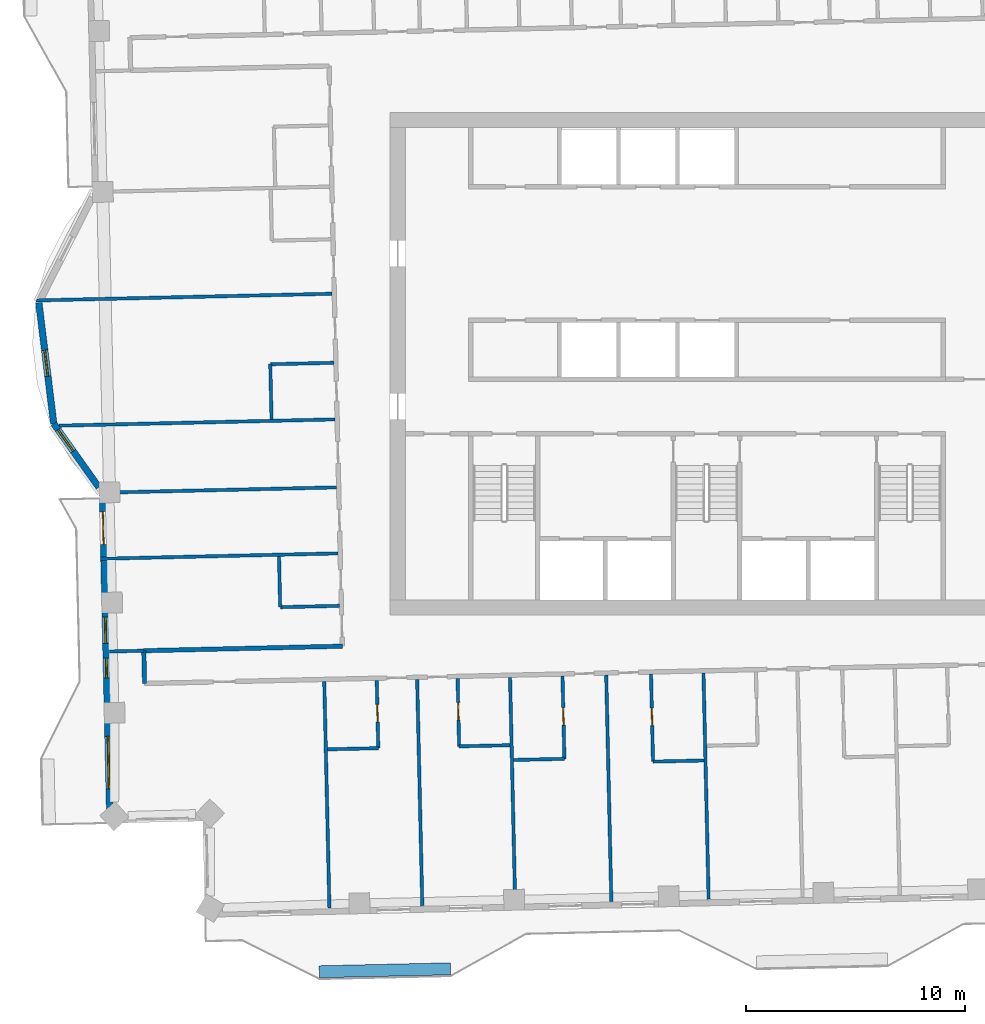
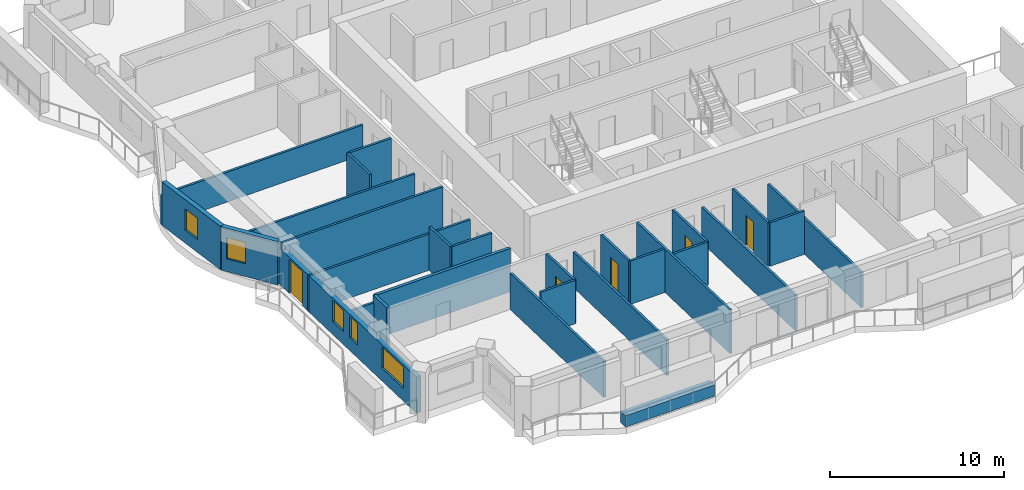
# One storey, part 7 of 18: 28 walls, 5 doors, 5 windows, 10 openings.
"""IFC4 building model written with IfcOpenShell, lengths in metres."""

from ifc_helpers import new_model, si_unit, direction, frame, frame_2d, origin, place, context, subcontext, project, spatial, rectangle, extrude, material, layer, layer_set, type_object, element, fill, save


model = new_model("IFC4")

# Units and contexts
model_context = context("Model", 3, precision=1e-05, world=origin(), true_north=direction((0.0, 1.0)))
body_context = subcontext(model_context, "Body", "Model", "MODEL_VIEW")
ifc_project = project(units=[si_unit("LENGTHUNIT", "METRE"), si_unit("AREAUNIT", "SQUARE_METRE"), si_unit("VOLUMEUNIT", "CUBIC_METRE"), si_unit("PLANEANGLEUNIT", "RADIAN"), si_unit("MASSUNIT", "GRAM", prefix="KILO")], contexts=[model_context])

# Site, building, storey
site_placement = place(None, origin())
site = spatial("IfcSite", under=ifc_project, at=site_placement, CompositionType="ELEMENT")
building_placement = place(site_placement, origin())
building = spatial("IfcBuilding", under=site, at=building_placement, Name="Mangrove Gate Tower", CompositionType="ELEMENT")
storey_placement = place(building_placement, frame((0.0, 0.0, 287.10009765625)))
storey = spatial("IfcBuildingStorey", under=building, at=storey_placement, Name="L73", CompositionType="ELEMENT", Elevation=287.10009765625)

# Walls
ifc_material_1 = material(Name="Gypsum board on steel stud, EI 60", Category="steel")
ifc_layer_1 = layer(ifc_material_1, 0.199951171875)
ifc_layer_set_1 = layer_set([ifc_layer_1], Name="Corridor wall EI 60")
wall_type_1 = type_object("IfcWallType", Name="Corridor wall EI 60", PredefinedType="PARTITIONING", material=ifc_layer_set_1)
wall_1_placement = place(storey_placement, frame((-25.72802734375, -14.6240234375, 0.0), z_axis=(0.0, 0.0, 1.0), x_axis=(-0.022632637625, 0.99974384905, 0.0)))
element("IfcWall", 1, at=wall_1_placement, inside=storey, type_object=wall_type_1, Name="WALL-L73-029", PredefinedType="PARTITIONING", context=body_context, shape_type="SweptSolid", body=[
    extrude(rectangle(XDim=1.49951171875, YDim=0.199951171875, at=frame_2d((0.749755859375, 0.0))), origin(), (0.0, 0.0, 1.0), 3.0498046875),
])
wall_2_placement = place(storey_placement, frame((-25.764892578125, -13.125, 0.0), z_axis=(0.0, 0.0, 1.0), x_axis=(0.999740502457, 0.022779985654, 0.0)))
element("IfcWall", 2, at=wall_2_placement, inside=storey, type_object=wall_type_1, Name="WALL-L73-032", PredefinedType="PARTITIONING", context=body_context, shape_type="SweptSolid", body=[
    extrude(rectangle(XDim=9.08837890625, YDim=0.199951171875, at=frame_2d((4.544189453125, 0.0))), origin(), (0.0, 0.0, 1.0), 3.0498046875),
])

# Wall, opening, window
ifc_material_2 = material(Name="Limestone", Category="masonry")
ifc_layer_2 = layer(ifc_material_2, 0.0400390625, Name="Limestone cladding")
ifc_material_3 = material(Name="Ventilated air gap")
ifc_layer_3 = layer(ifc_material_3, 0.0400390625, Name="Ventilated cavity")
ifc_material_4 = material(Name="Mineral wool insulation")
ifc_layer_4 = layer(ifc_material_4, 0.06005859375, Name="Insulation")
ifc_material_5 = material(Name="Breather membrane")
ifc_layer_5 = layer(ifc_material_5, 0.001953125, Name="Breather membrane")
ifc_material_6 = material(Name="Concrete C20/25 blockwork", Category="masonry")
ifc_layer_6 = layer(ifc_material_6, 0.14990234375, Name="Blockwork backing wall")
ifc_material_7 = material(Name="Gypsum plaster")
ifc_layer_7 = layer(ifc_material_7, 0.008056640625, Name="Internal plaster")
ifc_layer_set_2 = layer_set([ifc_layer_2, ifc_layer_3, ifc_layer_4, ifc_layer_5, ifc_layer_6, ifc_layer_7], Name="External wall 300 limestone cladding")
wall_type_2 = type_object("IfcWallType", Name="External wall 300 limestone cladding", PredefinedType="SOLIDWALL", material=ifc_layer_set_2)
wall_3_placement = place(storey_placement, frame((-30.56396484375, 2.7939453125, 0.0), z_axis=(0.0, 0.0, 1.0), x_axis=(0.122163831021, -0.992509948761, 0.0)))
wall_3 = element("IfcWall", 3, at=wall_3_placement, inside=storey, type_object=wall_type_2, Name="WALL-L73-W9f2", PredefinedType="SOLIDWALL", context=body_context, shape_type="SweptSolid", body=[
    extrude(rectangle(XDim=5.57373046875, YDim=0.300048828125, at=frame_2d((2.786865234375, 0.0))), origin(), (0.0, 0.0, 1.0), 3.0498046875),
])
opening_1_placement = place(wall_3_placement, frame((2.18701171875, 0.0, 0.89990234375)))
opening_1 = element("IfcOpeningElement", 4, at=opening_1_placement, cuts=wall_3, Name="Opening W1", PredefinedType="OPENING", context=body_context, shape_type="SweptSolid", body=[
    extrude(rectangle(XDim=1.199951171875, YDim=1.5, at=frame_2d((0.60009765625, 0.75))), frame((0.0, 0.159912109375, 0.0), z_axis=(0.0, -1.0, 0.0), x_axis=(1.0, 0.0, 0.0)), (0.0, 0.0, 1.0), 0.320068359375),
])
ifc_material_8 = material(Name="Aluminium frame with double-glazed low-e glass", Category="aluminium")
window_type_1 = type_object("IfcWindowType", Name="Side lite 1200x1500", PartitioningType="SINGLE_PANEL", PredefinedType="WINDOW", material=ifc_material_8)
window_1_placement = place(opening_1_placement, origin())
window_1 = element("IfcWindow", 5, at=window_1_placement, inside=storey, type_object=window_type_1, Name="WIN-L73-W9f2", OverallHeight=1.5, OverallWidth=1.199951171875, PartitioningType="SINGLE_PANEL", PredefinedType="WINDOW", context=body_context, shape_type="SweptSolid", body=[
    extrude(rectangle(XDim=1.199951171875, YDim=1.5, at=frame_2d((0.60009765625, 0.75))), frame((0.0, 0.030029296875, 0.0), z_axis=(0.0, -1.0, 0.0), x_axis=(1.0, 0.0, 0.0)), (0.0, 0.0, 1.0), 0.06005859375),
])
fill(opening_1, window_1)

wall_4_placement = place(storey_placement, frame((-29.883056640625, -2.738037109375, 0.0), z_axis=(0.0, 0.0, 1.0), x_axis=(0.578095163598, -0.815969351033, 0.0)))
wall_4 = element("IfcWall", 6, at=wall_4_placement, inside=storey, type_object=wall_type_2, Name="WALL-L73-W9f3", PredefinedType="SOLIDWALL", context=body_context, shape_type="SweptSolid", body=[
    extrude(rectangle(XDim=3.568603515625, YDim=0.300048828125, at=frame_2d((1.7841796875, 0.0))), origin(), (0.0, 0.0, 1.0), 3.0498046875),
])
opening_2_placement = place(wall_4_placement, frame((0.337890625, 0.0, 0.89990234375)))
opening_2 = element("IfcOpeningElement", 7, at=opening_2_placement, cuts=wall_4, Name="Opening W1", PredefinedType="OPENING", context=body_context, shape_type="SweptSolid", body=[
    extrude(rectangle(XDim=1.199951171875, YDim=1.5, at=frame_2d((0.60009765625, 0.75))), frame((0.0, 0.159912109375, 0.0), z_axis=(0.0, -1.0, 0.0), x_axis=(1.0, 0.0, 0.0)), (0.0, 0.0, 1.0), 0.320068359375),
])
window_2_placement = place(opening_2_placement, origin())
window_2 = element("IfcWindow", 8, at=window_2_placement, inside=storey, type_object=window_type_1, Name="WIN-L73-W9f3", OverallHeight=1.5, OverallWidth=1.199951171875, PartitioningType="SINGLE_PANEL", PredefinedType="WINDOW", context=body_context, shape_type="SweptSolid", body=[
    extrude(rectangle(XDim=1.199951171875, YDim=1.5, at=frame_2d((0.60009765625, 0.75))), frame((0.0, 0.030029296875, 0.0), z_axis=(0.0, -1.0, 0.0), x_axis=(1.0, 0.0, 0.0)), (0.0, 0.0, 1.0), 0.06005859375),
])
fill(opening_2, window_2)

# Wall, openings, door, windows
wall_5_placement = place(storey_placement, frame((-27.6650390625, -5.416015625, 0.0), z_axis=(0.0, 0.0, 1.0), x_axis=(0.022660024814, -0.999743228672, 0.0)))
wall_5 = element("IfcWall", 9, at=wall_5_placement, inside=storey, type_object=wall_type_2, Name="WALL-L73-W10s1", PredefinedType="SOLIDWALL", context=body_context, shape_type="SweptSolid", body=[
    extrude(rectangle(XDim=15.449951171875, YDim=0.300048828125, at=frame_2d((7.72509765625, 0.0))), origin(), (0.0, 0.0, 1.0), 2.5498046875),
])
opening_3_placement = place(wall_5_placement, frame((1.35009765625, 0.0, 0.0)))
opening_3 = element("IfcOpeningElement", 10, at=opening_3_placement, cuts=wall_5, Name="Opening BD1", PredefinedType="OPENING", context=body_context, shape_type="SweptSolid", body=[
    extrude(rectangle(XDim=1.5, YDim=2.39990234375, at=frame_2d((0.75, 1.199951171875))), frame((0.0, 0.159912109375, 0.0), z_axis=(0.0, -1.0, 0.0), x_axis=(1.0, 0.0, 0.0)), (0.0, 0.0, 1.0), 0.320068359375),
])
opening_4_placement = place(wall_5_placement, frame((6.1708984375, 0.0, 0.89990234375)))
opening_4 = element("IfcOpeningElement", 11, at=opening_4_placement, cuts=wall_5, Name="Opening W1", PredefinedType="OPENING", context=body_context, shape_type="SweptSolid", body=[
    extrude(rectangle(XDim=1.199951171875, YDim=1.5, at=frame_2d((0.60009765625, 0.75))), frame((0.0, 0.159912109375, 0.0), z_axis=(0.0, -1.0, 0.0), x_axis=(1.0, 0.0, 0.0)), (0.0, 0.0, 1.0), 0.320068359375),
])
opening_5_placement = place(wall_5_placement, frame((8.050048828125, 0.0, 0.89990234375)))
opening_5 = element("IfcOpeningElement", 12, at=opening_5_placement, cuts=wall_5, Name="Opening W5", PredefinedType="OPENING", context=body_context, shape_type="SweptSolid", body=[
    extrude(rectangle(XDim=0.89990234375, YDim=1.5, at=frame_2d((0.449951171875, 0.75))), frame((0.0, 0.159912109375, 0.0), z_axis=(0.0, -1.0, 0.0), x_axis=(1.0, 0.0, 0.0)), (0.0, 0.0, 1.0), 0.320068359375),
])
opening_6_placement = place(wall_5_placement, frame((11.625, 0.0, 0.89990234375)))
opening_6 = element("IfcOpeningElement", 13, at=opening_6_placement, cuts=wall_5, Name="Opening W2", PredefinedType="OPENING", context=body_context, shape_type="SweptSolid", body=[
    extrude(rectangle(XDim=2.39990234375, YDim=1.5, at=frame_2d((1.199951171875, 0.75))), frame((0.0, 0.159912109375, 0.0), z_axis=(0.0, -1.0, 0.0), x_axis=(1.0, 0.0, 0.0)), (0.0, 0.0, 1.0), 0.320068359375),
])
ifc_material_9 = material(Name="Aluminium frame with laminated clear glass", Category="aluminium")
door_type_1 = type_object("IfcDoorType", Name="Balcony sliding door 1500x2400", OperationType="SLIDING_TO_LEFT", PredefinedType="DOOR", material=ifc_material_9)
door_1_placement = place(opening_3_placement, origin())
door_1 = element("IfcDoor", 14, at=door_1_placement, inside=storey, type_object=door_type_1, Name="DOOR-L73-W10-1", OperationType="SLIDING_TO_LEFT", OverallHeight=2.39990234375, OverallWidth=1.5, PredefinedType="DOOR", context=body_context, shape_type="SweptSolid", body=[
    extrude(rectangle(XDim=1.5, YDim=2.39990234375, at=frame_2d((0.75, 1.199951171875))), frame((0.0, 0.02490234375, 0.0), z_axis=(0.0, -1.0, 0.0), x_axis=(1.0, 0.0, 0.0)), (0.0, 0.0, 1.0), 0.050048828125),
])
fill(opening_3, door_1)
ifc_material_10 = material(Name="Aluminium frame with double-glazed low-e glass", Category="aluminium")
window_type_2 = type_object("IfcWindowType", Name="Corner room window 2400x1500", PartitioningType="DOUBLE_PANEL_VERTICAL", PredefinedType="WINDOW", material=ifc_material_10)
window_3_placement = place(opening_6_placement, origin())
window_3 = element("IfcWindow", 15, at=window_3_placement, inside=storey, type_object=window_type_2, Name="WIN-L73-W10-4", OverallHeight=1.5, OverallWidth=2.39990234375, PartitioningType="DOUBLE_PANEL_VERTICAL", PredefinedType="WINDOW", context=body_context, shape_type="SweptSolid", body=[
    extrude(rectangle(XDim=2.39990234375, YDim=1.5, at=frame_2d((1.199951171875, 0.75))), frame((0.0, 0.030029296875, 0.0), z_axis=(0.0, -1.0, 0.0), x_axis=(1.0, 0.0, 0.0)), (0.0, 0.0, 1.0), 0.06005859375),
])
fill(opening_6, window_3)
ifc_material_11 = material(Name="Aluminium frame with double-glazed low-e glass", Category="aluminium")
window_type_3 = type_object("IfcWindowType", Name="Narrow window 900x1500", PartitioningType="SINGLE_PANEL", PredefinedType="WINDOW", material=ifc_material_11)
window_4_placement = place(opening_5_placement, origin())
window_4 = element("IfcWindow", 16, at=window_4_placement, inside=storey, type_object=window_type_3, Name="WIN-L73-W10-3", OverallHeight=1.5, OverallWidth=0.89990234375, PartitioningType="SINGLE_PANEL", PredefinedType="WINDOW", context=body_context, shape_type="SweptSolid", body=[
    extrude(rectangle(XDim=0.89990234375, YDim=1.5, at=frame_2d((0.449951171875, 0.75))), frame((0.0, 0.030029296875, 0.0), z_axis=(0.0, -1.0, 0.0), x_axis=(1.0, 0.0, 0.0)), (0.0, 0.0, 1.0), 0.06005859375),
])
fill(opening_5, window_4)
window_5_placement = place(opening_4_placement, origin())
window_5 = element("IfcWindow", 17, at=window_5_placement, inside=storey, type_object=window_type_1, Name="WIN-L73-W10-2", OverallHeight=1.5, OverallWidth=1.199951171875, PartitioningType="SINGLE_PANEL", PredefinedType="WINDOW", context=body_context, shape_type="SweptSolid", body=[
    extrude(rectangle(XDim=1.199951171875, YDim=1.5, at=frame_2d((0.60009765625, 0.75))), frame((0.0, 0.030029296875, 0.0), z_axis=(0.0, -1.0, 0.0), x_axis=(1.0, 0.0, 0.0)), (0.0, 0.0, 1.0), 0.06005859375),
])
fill(opening_4, window_5)

# Walls
ifc_material_12 = material(Name="Gypsum board on steel stud, EI 60", Category="steel")
ifc_layer_8 = layer(ifc_material_12, 0.14990234375)
ifc_layer_set_3 = layer_set([ifc_layer_8], Name="Party wall 150 EI 60")
wall_type_3 = type_object("IfcWallType", Name="Party wall 150 EI 60", PredefinedType="PARTITIONING", material=ifc_layer_set_3)
wall_6_placement = place(storey_placement, frame((-17.27294921875, -24.885009765625, 0.0), z_axis=(0.0, 0.0, 1.0), x_axis=(-0.022716582742, 0.999741945138, 0.0)))
element("IfcWall", 18, at=wall_6_placement, inside=storey, type_object=wall_type_3, Name="WALL-L73-001", PredefinedType="PARTITIONING", context=body_context, shape_type="SweptSolid", body=[
    extrude(rectangle(XDim=10.349609375, YDim=0.14990234375, at=frame_2d((5.1748046875, 0.0))), origin(), (0.0, 0.0, 1.0), 2.5498046875),
])
wall_7_placement = place(storey_placement, frame((-13.02392578125, -24.7890625, 0.0), z_axis=(0.0, 0.0, 1.0), x_axis=(-0.022713904397, 0.999742005993, 0.0)))
element("IfcWall", 19, at=wall_7_placement, inside=storey, type_object=wall_type_3, Name="WALL-L73-002", PredefinedType="PARTITIONING", context=body_context, shape_type="SweptSolid", body=[
    extrude(rectangle(XDim=10.350830078125, YDim=0.14990234375, at=frame_2d((5.17529296875, 0.0))), origin(), (0.0, 0.0, 1.0), 2.5),
])
wall_8_placement = place(storey_placement, frame((-8.77490234375, -24.69189453125, 0.0), z_axis=(0.0, 0.0, 1.0), x_axis=(-0.022716582742, 0.999741945138, 0.0)))
element("IfcWall", 20, at=wall_8_placement, inside=storey, type_object=wall_type_3, Name="WALL-L73-003", PredefinedType="PARTITIONING", context=body_context, shape_type="SweptSolid", body=[
    extrude(rectangle(XDim=10.349609375, YDim=0.14990234375, at=frame_2d((5.1748046875, 0.0))), origin(), (0.0, 0.0, 1.0), 3.0498046875),
])
for number, where, z_axis, x_axis, name in (
    (21, (-4.3759765625, -24.593017578125, 0.0), (0.0, 0.0, 1.0), (-0.022714440015, 0.999741993824, 0.0), "WALL-L73-004"),
    (22, (0.072998046875, -24.491943359375, 0.0), (0.0, 0.0, 1.0), (-0.022714440015, 0.999741993824, 0.0), "WALL-L73-005"),
):
    element("IfcWall", number, at=place(storey_placement, frame(where, z_axis=z_axis, x_axis=x_axis)), inside=storey, type_object=wall_type_3, Name=name, PredefinedType="PARTITIONING", context=body_context, shape_type="SweptSolid", body=[
        extrude(rectangle(XDim=10.3505859375, YDim=0.14990234375, at=frame_2d((5.17529296875, 0.0))), origin(), (0.0, 0.0, 1.0), 2.5),
    ])

# Wall, opening, door
wall_9_placement = place(storey_placement, frame((-2.470947265625, -18.197021484375, 0.0), z_axis=(0.0, 0.0, 1.0), x_axis=(-0.022765770952, 0.999740826251, 0.0)))
wall_9 = element("IfcWall", 23, at=wall_9_placement, inside=storey, type_object=wall_type_3, Name="WALL-L73-011", PredefinedType="PARTITIONING", context=body_context, shape_type="SweptSolid", body=[
    extrude(rectangle(XDim=4.0, YDim=0.14990234375, at=frame_2d((2.0, 0.0))), origin(), (0.0, 0.0, 1.0), 3.0498046875),
])
opening_7_placement = place(wall_9_placement, frame((1.64990234375, 0.0, 0.0)))
opening_7 = element("IfcOpeningElement", 24, at=opening_7_placement, cuts=wall_9, Name="Opening ED", PredefinedType="OPENING", context=body_context, shape_type="SweptSolid", body=[
    extrude(rectangle(XDim=0.800048828125, YDim=2.10009765625, at=frame_2d((0.39990234375, 1.050048828125))), frame((0.0, 0.0849609375, 0.0), z_axis=(0.0, -1.0, 0.0), x_axis=(1.0, 0.0, 0.0)), (0.0, 0.0, 1.0), 0.169921875),
])
ifc_material_13 = material(Name="Timber door leaf", Category="wood")
door_type_2 = type_object("IfcDoorType", Name="En-suite door 800", OperationType="SINGLE_SWING_LEFT", PredefinedType="DOOR", material=ifc_material_13)
door_2_placement = place(opening_7_placement, origin())
door_2 = element("IfcDoor", 25, at=door_2_placement, inside=storey, type_object=door_type_2, Name="DOOR-L73-ENS-c104", OperationType="SINGLE_SWING_RIGHT", OverallHeight=2.10009765625, OverallWidth=0.800048828125, PredefinedType="DOOR", context=body_context, shape_type="SweptSolid", body=[
    extrude(rectangle(XDim=0.800048828125, YDim=2.10009765625, at=frame_2d((0.39990234375, 1.050048828125))), frame((0.0, 0.02490234375, 0.0), z_axis=(0.0, -1.0, 0.0), x_axis=(1.0, 0.0, 0.0)), (0.0, 0.0, 1.0), 0.050048828125),
])
fill(opening_7, door_2)

# Walls
wall_10_placement = place(storey_placement, frame((-2.468994140625, -18.197021484375, 0.0), z_axis=(0.0, 0.0, 1.0), x_axis=(0.999749954681, 0.022361308448, 0.0)))
element("IfcWall", 26, at=wall_10_placement, inside=storey, type_object=wall_type_3, Name="WALL-L73-012", PredefinedType="PARTITIONING", context=body_context, shape_type="SweptSolid", body=[
    extrude(rectangle(XDim=2.325439453125, YDim=0.14990234375, at=frame_2d((1.16259765625, 0.0))), origin(), (0.0, 0.0, 1.0), 3.0498046875),
])
wall_11_placement = place(storey_placement, frame((-8.846923828125, -18.1220703125, 0.0), z_axis=(0.0, 0.0, 1.0), x_axis=(0.999740260747, 0.02279059109, 0.0)))
element("IfcWall", 27, at=wall_11_placement, inside=storey, type_object=wall_type_3, Name="WALL-L73-015", PredefinedType="PARTITIONING", context=body_context, shape_type="SweptSolid", body=[
    extrude(rectangle(XDim=2.324462890625, YDim=0.14990234375, at=frame_2d((1.162109375, 0.0))), origin(), (0.0, 0.0, 1.0), 3.0498046875),
])

# Wall, opening, door
wall_12_placement = place(storey_placement, frame((-6.52490234375, -18.069091796875, 0.0), z_axis=(0.0, 0.0, 1.0), x_axis=(-0.022540947495, 0.999745920565, 0.0)))
wall_12 = element("IfcWall", 28, at=wall_12_placement, inside=storey, type_object=wall_type_3, Name="WALL-L73-016", PredefinedType="PARTITIONING", context=body_context, shape_type="SweptSolid", body=[
    extrude(rectangle(XDim=3.780029296875, YDim=0.14990234375, at=frame_2d((1.89013671875, 0.0))), origin(), (0.0, 0.0, 1.0), 3.0498046875),
])
opening_8_placement = place(wall_12_placement, frame((1.5400390625, 0.0, 0.0)))
opening_8 = element("IfcOpeningElement", 29, at=opening_8_placement, cuts=wall_12, Name="Opening ED", PredefinedType="OPENING", context=body_context, shape_type="SweptSolid", body=[
    extrude(rectangle(XDim=0.800048828125, YDim=2.10009765625, at=frame_2d((0.39990234375, 1.050048828125))), frame((0.0, 0.0849609375, 0.0), z_axis=(0.0, -1.0, 0.0), x_axis=(1.0, 0.0, 0.0)), (0.0, 0.0, 1.0), 0.169921875),
])
door_3_placement = place(opening_8_placement, origin())
door_3 = element("IfcDoor", 30, at=door_3_placement, inside=storey, type_object=door_type_2, Name="DOOR-L73-ENS-c103", OperationType="SINGLE_SWING_LEFT", OverallHeight=2.10009765625, OverallWidth=0.800048828125, PredefinedType="DOOR", context=body_context, shape_type="SweptSolid", body=[
    extrude(rectangle(XDim=0.800048828125, YDim=2.10009765625, at=frame_2d((0.39990234375, 1.050048828125))), frame((0.0, 0.02490234375, 0.0), z_axis=(0.0, -1.0, 0.0), x_axis=(1.0, 0.0, 0.0)), (0.0, 0.0, 1.0), 0.050048828125),
])
fill(opening_8, door_3)

# Wall
wall_13_placement = place(storey_placement, frame((-17.360107421875, -17.635009765625, 0.0), z_axis=(0.0, 0.0, 1.0), x_axis=(0.99974031529, 0.022788198363, 0.0)))
element("IfcWall", 31, at=wall_13_placement, inside=storey, type_object=wall_type_3, Name="WALL-L73-024", PredefinedType="PARTITIONING", context=body_context, shape_type="SweptSolid", body=[
    extrude(rectangle(XDim=2.32470703125, YDim=0.14990234375, at=frame_2d((1.162353515625, 0.0))), origin(), (0.0, 0.0, 1.0), 3.0498046875),
])

# Wall, opening, door
wall_14_placement = place(storey_placement, frame((-15.0380859375, -17.58203125, 0.0), z_axis=(0.0, 0.0, 1.0), x_axis=(-0.022524613091, 0.999746288718, 0.0)))
wall_14 = element("IfcWall", 32, at=wall_14_placement, inside=storey, type_object=wall_type_3, Name="WALL-L73-025", PredefinedType="PARTITIONING", context=body_context, shape_type="SweptSolid", body=[
    extrude(rectangle(XDim=3.099853515625, YDim=0.14990234375, at=frame_2d((1.5498046875, 0.0))), origin(), (0.0, 0.0, 1.0), 3.0498046875),
])
opening_9_placement = place(wall_14_placement, frame((1.199951171875, 0.0, 0.0)))
opening_9 = element("IfcOpeningElement", 33, at=opening_9_placement, cuts=wall_14, Name="Opening ED", PredefinedType="OPENING", context=body_context, shape_type="SweptSolid", body=[
    extrude(rectangle(XDim=0.800048828125, YDim=2.10009765625, at=frame_2d((0.39990234375, 1.050048828125))), frame((0.0, 0.0849609375, 0.0), z_axis=(0.0, -1.0, 0.0), x_axis=(1.0, 0.0, 0.0)), (0.0, 0.0, 1.0), 0.169921875),
])
door_4_placement = place(opening_9_placement, origin())
door_4 = element("IfcDoor", 34, at=door_4_placement, inside=storey, type_object=door_type_2, Name="DOOR-L73-ENS-c101", OperationType="SINGLE_SWING_LEFT", OverallHeight=2.10009765625, OverallWidth=0.800048828125, PredefinedType="DOOR", context=body_context, shape_type="SweptSolid", body=[
    extrude(rectangle(XDim=0.800048828125, YDim=2.10009765625, at=frame_2d((0.39990234375, 1.050048828125))), frame((0.0, 0.02490234375, 0.0), z_axis=(0.0, -1.0, 0.0), x_axis=(1.0, 0.0, 0.0)), (0.0, 0.0, 1.0), 0.050048828125),
])
fill(opening_9, door_4)

wall_15_placement = place(storey_placement, frame((-11.339111328125, -17.498046875, 0.0), z_axis=(0.0, 0.0, 1.0), x_axis=(-0.022524613091, 0.999746288718, 0.0)))
wall_15 = element("IfcWall", 35, at=wall_15_placement, inside=storey, type_object=wall_type_3, Name="WALL-L73-026", PredefinedType="PARTITIONING", context=body_context, shape_type="SweptSolid", body=[
    extrude(rectangle(XDim=3.099853515625, YDim=0.14990234375, at=frame_2d((1.5498046875, 0.0))), origin(), (0.0, 0.0, 1.0), 3.0498046875),
])
opening_10_placement = place(wall_15_placement, frame((1.199951171875, 0.0, 0.0)))
opening_10 = element("IfcOpeningElement", 36, at=opening_10_placement, cuts=wall_15, Name="Opening ED", PredefinedType="OPENING", context=body_context, shape_type="SweptSolid", body=[
    extrude(rectangle(XDim=0.800048828125, YDim=2.10009765625, at=frame_2d((0.39990234375, 1.050048828125))), frame((0.0, 0.0849609375, 0.0), z_axis=(0.0, -1.0, 0.0), x_axis=(1.0, 0.0, 0.0)), (0.0, 0.0, 1.0), 0.169921875),
])
door_5_placement = place(opening_10_placement, origin())
door_5 = element("IfcDoor", 37, at=door_5_placement, inside=storey, type_object=door_type_2, Name="DOOR-L73-ENS-c102", OperationType="SINGLE_SWING_RIGHT", OverallHeight=2.10009765625, OverallWidth=0.800048828125, PredefinedType="DOOR", context=body_context, shape_type="SweptSolid", body=[
    extrude(rectangle(XDim=0.800048828125, YDim=2.10009765625, at=frame_2d((0.39990234375, 1.050048828125))), frame((0.0, 0.02490234375, 0.0), z_axis=(0.0, -1.0, 0.0), x_axis=(1.0, 0.0, 0.0)), (0.0, 0.0, 1.0), 0.050048828125),
])
fill(opening_10, door_5)

# Walls
wall_16_placement = place(storey_placement, frame((-11.3369140625, -17.498046875, 0.0), z_axis=(0.0, 0.0, 1.0), x_axis=(0.999749744571, 0.022370700241, 0.0)))
element("IfcWall", 38, at=wall_16_placement, inside=storey, type_object=wall_type_3, Name="WALL-L73-027", PredefinedType="PARTITIONING", context=body_context, shape_type="SweptSolid", body=[
    extrude(rectangle(XDim=2.324462890625, YDim=0.14990234375, at=frame_2d((1.162109375, 0.0))), origin(), (0.0, 0.0, 1.0), 3.0498046875),
])
wall_17_placement = place(storey_placement, frame((-27.339111328125, -13.159912109375, 0.0), z_axis=(0.0, 0.0, 1.0), x_axis=(0.999754171712, 0.022171967518, 0.0)))
element("IfcWall", 39, at=wall_17_placement, inside=storey, type_object=wall_type_3, Name="WALL-L73-031", PredefinedType="PARTITIONING", context=body_context, shape_type="SweptSolid", body=[
    extrude(rectangle(XDim=1.57470703125, YDim=0.14990234375, at=frame_2d((0.787353515625, 0.0))), origin(), (0.0, 0.0, 1.0), 2.5498046875),
])
wall_18_placement = place(storey_placement, frame((-19.52490234375, -11.133056640625, 0.0), z_axis=(0.0, 0.0, 1.0), x_axis=(-0.022781023197, 0.999740478815, 0.0)))
element("IfcWall", 40, at=wall_18_placement, inside=storey, type_object=wall_type_3, Name="WALL-L73-037", PredefinedType="PARTITIONING", context=body_context, shape_type="SweptSolid", body=[
    extrude(rectangle(XDim=2.325439453125, YDim=0.14990234375, at=frame_2d((1.16259765625, 0.0))), origin(), (0.0, 0.0, 1.0), 3.0498046875),
])
wall_19_placement = place(storey_placement, frame((-19.52001953125, -11.132080078125, 0.0), z_axis=(0.0, 0.0, 1.0), x_axis=(0.999744396973, 0.02260842146, 0.0)))
element("IfcWall", 41, at=wall_19_placement, inside=storey, type_object=wall_type_3, Name="WALL-L73-038", PredefinedType="PARTITIONING", context=body_context, shape_type="SweptSolid", body=[
    extrude(rectangle(XDim=2.69970703125, YDim=0.14990234375, at=frame_2d((1.349853515625, 0.0))), origin(), (0.0, 0.0, 1.0), 3.0498046875),
])
wall_20_placement = place(storey_placement, frame((-27.736083984375, -8.91796875, 0.0), z_axis=(0.0, 0.0, 1.0), x_axis=(0.999743862053, 0.02263206324, 0.0)))
element("IfcWall", 42, at=wall_20_placement, inside=storey, type_object=wall_type_3, Name="WALL-L73-039", PredefinedType="PARTITIONING", context=body_context, shape_type="SweptSolid", body=[
    extrude(rectangle(XDim=10.86279296875, YDim=0.14990234375, at=frame_2d((5.431396484375, 0.0))), origin(), (0.0, 0.0, 1.0), 2.5498046875),
])
wall_21_placement = place(storey_placement, frame((-27.803955078125, -5.89892578125, 0.0), z_axis=(0.0, 0.0, 1.0), x_axis=(0.999743850541, 0.02263257177, 0.0)))
element("IfcWall", 43, at=wall_21_placement, inside=storey, type_object=wall_type_3, Name="WALL-L73-040", PredefinedType="PARTITIONING", context=body_context, shape_type="SweptSolid", body=[
    extrude(rectangle(XDim=10.862548828125, YDim=0.14990234375, at=frame_2d((5.43115234375, 0.0))), origin(), (0.0, 0.0, 1.0), 3.0498046875),
])
wall_22_placement = place(storey_placement, frame((-19.919921875, -2.5390625, 0.0), z_axis=(0.0, 0.0, 1.0), x_axis=(-0.023013537724, 0.999735153469, 0.0)))
element("IfcWall", 44, at=wall_22_placement, inside=storey, type_object=wall_type_3, Name="WALL-L73-041", PredefinedType="PARTITIONING", context=body_context, shape_type="SweptSolid", body=[
    extrude(rectangle(XDim=2.52490234375, YDim=0.14990234375, at=frame_2d((1.262451171875, 0.0))), origin(), (0.0, 0.0, 1.0), 3.0498046875),
])
wall_23_placement = place(storey_placement, frame((-29.634033203125, -2.830078125, 0.0), z_axis=(0.0, 0.0, 1.0), x_axis=(0.999741276056, 0.022746009531, 0.0)))
element("IfcWall", 45, at=wall_23_placement, inside=storey, type_object=wall_type_3, Name="WALL-L73-042", PredefinedType="PARTITIONING", context=body_context, shape_type="SweptSolid", body=[
    extrude(rectangle(XDim=12.622314453125, YDim=0.14990234375, at=frame_2d((6.31103515625, 0.0))), origin(), (0.0, 0.0, 1.0), 2.099853515625),
])
wall_24_placement = place(storey_placement, frame((-19.972900390625, -0.02001953125, 0.0), z_axis=(0.0, 0.0, 1.0), x_axis=(0.999741748633, 0.022725229174, 0.0)))
element("IfcWall", 46, at=wall_24_placement, inside=storey, type_object=wall_type_3, Name="WALL-L73-043", PredefinedType="PARTITIONING", context=body_context, shape_type="SweptSolid", body=[
    extrude(rectangle(XDim=2.900634765625, YDim=0.14990234375, at=frame_2d((1.4501953125, 0.0))), origin(), (0.0, 0.0, 1.0), 3.0498046875),
])
wall_25_placement = place(storey_placement, frame((-30.69189453125, 2.89794921875, 0.0), z_axis=(0.0, 0.0, 1.0), x_axis=(0.999743099019, 0.022665744279, 0.0)))
element("IfcWall", 47, at=wall_25_placement, inside=storey, type_object=wall_type_3, Name="WALL-L73-044", PredefinedType="PARTITIONING", context=body_context, shape_type="SweptSolid", body=[
    extrude(rectangle(XDim=13.55029296875, YDim=0.14990234375, at=frame_2d((6.775146484375, 0.0))), origin(), (0.0, 0.0, 1.0), 2.099853515625),
])
ifc_material_14 = material(Name="Concrete C32/40", Category="concrete")
ifc_layer_9 = layer(ifc_material_14, 0.199951171875, Name="Planter trough wall")
ifc_material_15 = material(Name="Bituminous waterproofing membrane")
ifc_layer_10 = layer(ifc_material_15, 0.0048828125, Name="Waterproofing")
ifc_material_16 = material(Name="Drainage board and gravel")
ifc_layer_11 = layer(ifc_material_16, 0.044921875, Name="Drainage layer")
ifc_material_17 = material(Name="Planting soil")
ifc_layer_12 = layer(ifc_material_17, 0.300048828125, Name="Growing medium")
ifc_layer_set_4 = layer_set([ifc_layer_9, ifc_layer_10, ifc_layer_11, ifc_layer_12], Name="Planter wall 550 C32/40")
wall_type_4 = type_object("IfcWallType", Name="Planter wall 550 C32/40", PredefinedType="USERDEFINED", material=ifc_layer_set_4)
wall_26_placement = place(storey_placement, frame((-17.736083984375, -27.81103515625, 0.0), z_axis=(0.0, 0.0, 1.0), x_axis=(0.999743094499, 0.022665943652, 0.0)))
element("IfcWall", 48, at=wall_26_placement, inside=storey, type_object=wall_type_4, Name="PLANTER L73 S0.1", ObjectType="PLANTER", PredefinedType="USERDEFINED", context=body_context, shape_type="SweptSolid", body=[
    extrude(rectangle(XDim=5.99951171875, YDim=0.550048828125, at=frame_2d((2.999755859375, 0.0))), origin(), (0.0, 0.0, 1.0), 0.7998046875),
])

save(model, "model.ifc")
